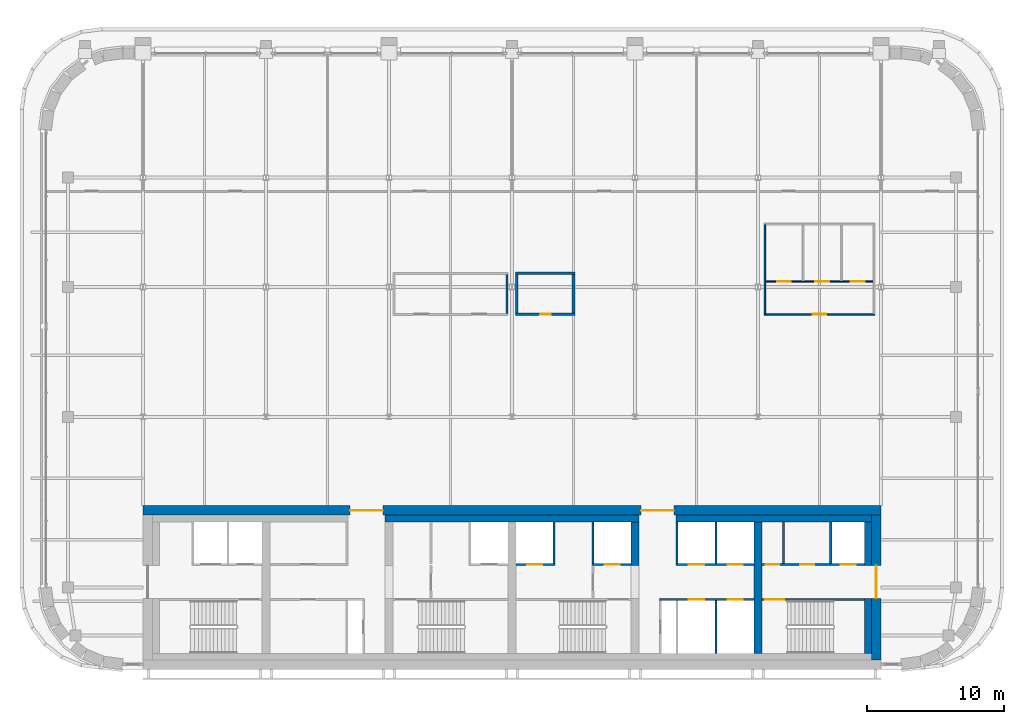
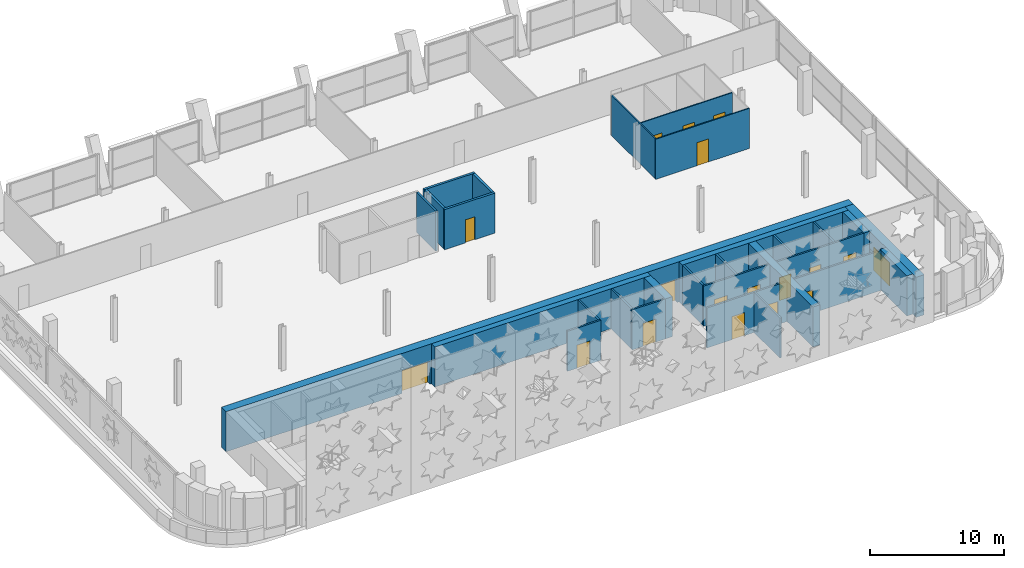
# One storey, part 17 of 25: 29 walls, 18 doors, 18 openings.
"""IFC4 building model written with IfcOpenShell, lengths in metres."""

from ifc_helpers import new_model, si_unit, direction, frame, frame_2d, origin, place, context, subcontext, project, spatial, rectangle, extrude, material, layer, layer_set, type_object, element, fill, save


model = new_model("IFC4")

# Units and contexts
model_context = context("Model", 3, precision=1e-05, world=origin(), true_north=direction((0.0, 1.0)))
body_context = subcontext(model_context, "Body", "Model", "MODEL_VIEW")
ifc_project = project(units=[si_unit("LENGTHUNIT", "METRE"), si_unit("AREAUNIT", "SQUARE_METRE"), si_unit("VOLUMEUNIT", "CUBIC_METRE"), si_unit("PLANEANGLEUNIT", "RADIAN"), si_unit("MASSUNIT", "GRAM", prefix="KILO")], contexts=[model_context])

# Site, building, storey
site_placement = place(None, origin())
site = spatial("IfcSite", under=ifc_project, at=site_placement, CompositionType="ELEMENT")
building_placement = place(site_placement, origin())
building = spatial("IfcBuilding", under=site, at=building_placement, Name="Zellij Exchange Tower", CompositionType="ELEMENT")
storey_placement = place(building_placement, frame((0.0, 0.0, 264.5)))
storey = spatial("IfcBuildingStorey", under=building, at=storey_placement, Name="L62", CompositionType="ELEMENT", Elevation=264.5)

# Walls
ifc_material_1 = material(Name="Concrete C50/60", Category="concrete")
ifc_layer_1 = layer(ifc_material_1, 0.60009765625)
ifc_layer_set_1 = layer_set([ifc_layer_1], Name="Concrete C50/60")
wall_type_1 = type_object("IfcWallType", Name="CORE-CW 600 C50/60", PredefinedType="SHEAR", material=ifc_layer_set_1)
wall_1_placement = place(storey_placement, frame((9.0, -6.375, 0.0), z_axis=(0.0, 0.0, 1.0), x_axis=(0.0, 1.0, 0.0)))
element("IfcWall", 1, at=wall_1_placement, inside=storey, type_object=wall_type_1, Name="Core cross wall pier x 9 b L62", PredefinedType="SHEAR", context=body_context, shape_type="SweptSolid", body=[
    extrude(rectangle(XDim=3.175048828125, YDim=0.60009765625, at=frame_2d((1.58740234375, 0.0))), origin(), (0.0, 0.0, 1.0), 3.64990234375),
])
wall_2_placement = place(storey_placement, frame((18.0, -12.800048828125, 0.0), z_axis=(0.0, 0.0, 1.0), x_axis=(0.0, 1.0, 0.0)))
element("IfcWall", 2, at=wall_2_placement, inside=storey, type_object=wall_type_1, Name="Core cross wall x 18 L62", PredefinedType="SHEAR", context=body_context, shape_type="SweptSolid", body=[
    extrude(rectangle(XDim=9.60009765625, YDim=0.60009765625, at=frame_2d((4.800048828125, 0.0))), origin(), (0.0, 0.0, 1.0), 3.64990234375),
])
ifc_material_2 = material(Name="Concrete C30/37", Category="concrete")
ifc_layer_2 = layer(ifc_material_2, 0.5)
ifc_layer_set_2 = layer_set([ifc_layer_2], Name="Concrete C30/37")
wall_type_2 = type_object("IfcWallType", Name="CORE-LW 500 C30/37", PredefinedType="SHEAR", material=ifc_layer_set_2)
wall_3_placement = place(storey_placement, frame((-9.300048828125, -2.949951171875, 0.0), z_axis=(0.0, 0.0, 1.0), x_axis=(1.0, 0.0, 0.0)))
element("IfcWall", 3, at=wall_3_placement, inside=storey, type_object=wall_type_2, Name="Core wall lining front.1 L62", PredefinedType="SHEAR", context=body_context, shape_type="SweptSolid", body=[
    extrude(rectangle(XDim=18.60009765625, YDim=0.5, at=frame_2d((9.300048828125, 0.0))), origin(), (0.0, 0.0, 1.0), 3.64990234375),
])
wall_4_placement = place(storey_placement, frame((12.0, -2.949951171875, 0.0), z_axis=(0.0, 0.0, 1.0), x_axis=(1.0, 0.0, 0.0)))
element("IfcWall", 4, at=wall_4_placement, inside=storey, type_object=wall_type_2, Name="Core wall lining front.2 L62", PredefinedType="SHEAR", context=body_context, shape_type="SweptSolid", body=[
    extrude(rectangle(XDim=14.300048828125, YDim=0.5, at=frame_2d((7.14990234375, 0.0))), origin(), (0.0, 0.0, 1.0), 3.64990234375),
])
wall_5_placement = place(storey_placement, frame((26.050048828125, -12.800048828125, 0.0), z_axis=(0.0, 0.0, 1.0), x_axis=(0.0, 1.0, 0.0)))
element("IfcWall", 5, at=wall_5_placement, inside=storey, type_object=wall_type_2, Name="Core wall lining end e.0 L62", PredefinedType="SHEAR", context=body_context, shape_type="SweptSolid", body=[
    extrude(rectangle(XDim=4.0, YDim=0.5, at=frame_2d((2.0, 0.0))), origin(), (0.0, 0.0, 1.0), 3.64990234375),
])
wall_6_placement = place(storey_placement, frame((26.050048828125, -6.375, 0.0), z_axis=(0.0, 0.0, 1.0), x_axis=(0.0, 1.0, 0.0)))
element("IfcWall", 6, at=wall_6_placement, inside=storey, type_object=wall_type_2, Name="Core wall lining end e.1 L62", PredefinedType="SHEAR", context=body_context, shape_type="SweptSolid", body=[
    extrude(rectangle(XDim=3.175048828125, YDim=0.5, at=frame_2d((1.58740234375, 0.0))), origin(), (0.0, 0.0, 1.0), 3.64990234375),
])
ifc_material_3 = material(Name="Gypsum board partition")
ifc_layer_3 = layer(ifc_material_3, 0.14990234375)
ifc_layer_set_3 = layer_set([ifc_layer_3], Name="Gypsum board partition")
wall_type_3 = type_object("IfcWallType", Name="CORE-PW 150 Lift lobby wall", PredefinedType="PARTITIONING", material=ifc_layer_set_3)
wall_7_placement = place(storey_placement, frame((19.875, -6.22509765625, 0.0), z_axis=(0.0, 0.0, 1.0), x_axis=(0.0, 1.0, 0.0)))
element("IfcWall", 7, at=wall_7_placement, inside=storey, type_object=wall_type_3, Name="Lift lobby wall L62", PredefinedType="PARTITIONING", context=body_context, shape_type="SweptSolid", body=[
    extrude(rectangle(XDim=3.025146484375, YDim=0.14990234375, at=frame_2d((1.5126953125, 0.0))), origin(), (0.0, 0.0, 1.0), 3.64990234375),
])
ifc_material_4 = material(Name="Gypsum shaft wall system")
ifc_layer_4 = layer(ifc_material_4, 0.14990234375)
ifc_layer_set_4 = layer_set([ifc_layer_4], Name="Gypsum shaft wall system")
wall_type_4 = type_object("IfcWallType", Name="CORE-PW 150 Lift shaft wall", PredefinedType="PARTITIONING", material=ifc_layer_set_4)
for number, where, z_axis, x_axis, name in (
    (8, (3.074951171875, -6.22509765625, 0.0), (0.0, 0.0, 1.0), (0.0, 1.0, 0.0), "Lift shaft wall L62"),
    (9, (5.925048828125, -6.22509765625, 0.0), (0.0, 0.0, 1.0), (0.0, 1.0, 0.0), "Lift shaft wall L62"),
    (10, (12.074951171875, -6.22509765625, 0.0), (0.0, 0.0, 1.0), (0.0, 1.0, 0.0), "Lift shaft wall L62"),
    (11, (14.925048828125, -6.22509765625, 0.0), (0.0, 0.0, 1.0), (0.0, 1.0, 0.0), "Lift shaft wall L62"),
    (12, (23.324951171875, -6.22509765625, 0.0), (0.0, 0.0, 1.0), (0.0, 1.0, 0.0), "Lift shaft wall L62"),
):
    element("IfcWall", number, at=place(storey_placement, frame(where, z_axis=z_axis, x_axis=x_axis)), inside=storey, type_object=wall_type_4, Name=name, PredefinedType="PARTITIONING", context=body_context, shape_type="SweptSolid", body=[
        extrude(rectangle(XDim=3.025146484375, YDim=0.14990234375, at=frame_2d((1.5126953125, 0.0))), origin(), (0.0, 0.0, 1.0), 3.64990234375),
    ])
wall_8_placement = place(storey_placement, frame((14.925048828125, -12.800048828125, 0.0), z_axis=(0.0, 0.0, 1.0), x_axis=(0.0, 1.0, 0.0)))
element("IfcWall", 13, at=wall_8_placement, inside=storey, type_object=wall_type_4, Name="Lift shaft wall L62", PredefinedType="PARTITIONING", context=body_context, shape_type="SweptSolid", body=[
    extrude(rectangle(XDim=3.85009765625, YDim=0.14990234375, at=frame_2d((1.925048828125, 0.0))), origin(), (0.0, 0.0, 1.0), 3.64990234375),
])

# Wall, opening, door
wall_9_placement = place(storey_placement, frame((0.300048828125, -6.300048828125, 0.0), z_axis=(0.0, 0.0, 1.0), x_axis=(1.0, 0.0, 0.0)))
wall_9 = element("IfcWall", 14, at=wall_9_placement, inside=storey, type_object=wall_type_4, Name="Lift shaft wall L62", PredefinedType="PARTITIONING", context=body_context, shape_type="SweptSolid", body=[
    extrude(rectangle(XDim=2.849853515625, YDim=0.14990234375, at=frame_2d((1.4248046875, 0.0))), origin(), (0.0, 0.0, 1.0), 3.64990234375),
])
opening_1_placement = place(wall_9_placement, frame((0.800048828125, 0.0, 0.0)))
opening_1 = element("IfcOpeningElement", 15, at=opening_1_placement, cuts=wall_9, Name="Opening CA-32.12", PredefinedType="OPENING", context=body_context, shape_type="SweptSolid", body=[
    extrude(rectangle(XDim=1.10009765625, YDim=2.10009765625, at=frame_2d((0.550048828125, 1.050048828125))), frame((0.0, 0.0869140625, 0.0), z_axis=(0.0, -1.0, 0.0), x_axis=(1.0, 0.0, 0.0)), (0.0, 0.0, 1.0), 0.173828125),
])
ifc_material_5 = material(Name="Hollow metal fire door")
door_type_1 = type_object("IfcDoorType", Name="CORE-D LD Lift landing door 1100x2100 1.5 HR", OperationType="NOTDEFINED", PredefinedType="DOOR", material=ifc_material_5)
door_1_placement = place(opening_1_placement, origin())
door_1 = element("IfcDoor", 16, at=door_1_placement, inside=storey, type_object=door_type_1, Name="Lift landing door CA-32.12", OperationType="SLIDING_TO_RIGHT", OverallHeight=2.10009765625, OverallWidth=1.10009765625, PredefinedType="DOOR", context=body_context, shape_type="SweptSolid", body=[
    extrude(rectangle(XDim=1.10009765625, YDim=2.10009765625, at=frame_2d((0.550048828125, 1.050048828125))), frame((0.0, 0.02490234375, 0.0), z_axis=(0.0, -1.0, 0.0), x_axis=(1.0, 0.0, 0.0)), (0.0, 0.0, 1.0), 0.050048828125),
])
fill(opening_1, door_1)

wall_10_placement = place(storey_placement, frame((5.85009765625, -6.300048828125, 0.0), z_axis=(0.0, 0.0, 1.0), x_axis=(1.0, 0.0, 0.0)))
wall_10 = element("IfcWall", 17, at=wall_10_placement, inside=storey, type_object=wall_type_4, Name="Lift shaft wall L62", PredefinedType="PARTITIONING", context=body_context, shape_type="SweptSolid", body=[
    extrude(rectangle(XDim=2.849853515625, YDim=0.14990234375, at=frame_2d((1.4248046875, 0.0))), origin(), (0.0, 0.0, 1.0), 3.64990234375),
])
opening_2_placement = place(wall_10_placement, frame((0.949951171875, 0.0, 0.0)))
opening_2 = element("IfcOpeningElement", 18, at=opening_2_placement, cuts=wall_10, Name="Opening CA-32.14", PredefinedType="OPENING", context=body_context, shape_type="SweptSolid", body=[
    extrude(rectangle(XDim=1.10009765625, YDim=2.10009765625, at=frame_2d((0.550048828125, 1.050048828125))), frame((0.0, 0.0869140625, 0.0), z_axis=(0.0, -1.0, 0.0), x_axis=(1.0, 0.0, 0.0)), (0.0, 0.0, 1.0), 0.173828125),
])
door_2_placement = place(opening_2_placement, origin())
door_2 = element("IfcDoor", 19, at=door_2_placement, inside=storey, type_object=door_type_1, Name="Lift landing door CA-32.14", OperationType="SLIDING_TO_RIGHT", OverallHeight=2.10009765625, OverallWidth=1.10009765625, PredefinedType="DOOR", context=body_context, shape_type="SweptSolid", body=[
    extrude(rectangle(XDim=1.10009765625, YDim=2.10009765625, at=frame_2d((0.550048828125, 1.050048828125))), frame((0.0, 0.02490234375, 0.0), z_axis=(0.0, -1.0, 0.0), x_axis=(1.0, 0.0, 0.0)), (0.0, 0.0, 1.0), 0.050048828125),
])
fill(opening_2, door_2)

# Wall, openings, doors
wall_11_placement = place(storey_placement, frame((12.0, -6.300048828125, 0.0), z_axis=(0.0, 0.0, 1.0), x_axis=(1.0, 0.0, 0.0)))
wall_11 = element("IfcWall", 20, at=wall_11_placement, inside=storey, type_object=wall_type_4, Name="Lift shaft wall L62", PredefinedType="PARTITIONING", context=body_context, shape_type="SweptSolid", body=[
    extrude(rectangle(XDim=5.699951171875, YDim=0.14990234375, at=frame_2d((2.85009765625, 0.0))), origin(), (0.0, 0.0, 1.0), 3.64990234375),
])
opening_3_placement = place(wall_11_placement, frame((0.949951171875, 0.0, 0.0)))
opening_3 = element("IfcOpeningElement", 21, at=opening_3_placement, cuts=wall_11, Name="Opening CA-32.19", PredefinedType="OPENING", context=body_context, shape_type="SweptSolid", body=[
    extrude(rectangle(XDim=1.10009765625, YDim=2.10009765625, at=frame_2d((0.550048828125, 1.050048828125))), frame((0.0, 0.0869140625, 0.0), z_axis=(0.0, -1.0, 0.0), x_axis=(1.0, 0.0, 0.0)), (0.0, 0.0, 1.0), 0.173828125),
])
opening_4_placement = place(wall_11_placement, frame((3.800048828125, 0.0, 0.0)))
opening_4 = element("IfcOpeningElement", 22, at=opening_4_placement, cuts=wall_11, Name="Opening CA-32.21", PredefinedType="OPENING", context=body_context, shape_type="SweptSolid", body=[
    extrude(rectangle(XDim=1.10009765625, YDim=2.10009765625, at=frame_2d((0.550048828125, 1.050048828125))), frame((0.0, 0.0869140625, 0.0), z_axis=(0.0, -1.0, 0.0), x_axis=(1.0, 0.0, 0.0)), (0.0, 0.0, 1.0), 0.173828125),
])
door_3_placement = place(opening_3_placement, origin())
door_3 = element("IfcDoor", 23, at=door_3_placement, inside=storey, type_object=door_type_1, Name="Lift landing door CA-32.19", OperationType="SLIDING_TO_LEFT", OverallHeight=2.10009765625, OverallWidth=1.10009765625, PredefinedType="DOOR", context=body_context, shape_type="SweptSolid", body=[
    extrude(rectangle(XDim=1.10009765625, YDim=2.10009765625, at=frame_2d((0.550048828125, 1.050048828125))), frame((0.0, 0.02490234375, 0.0), z_axis=(0.0, -1.0, 0.0), x_axis=(1.0, 0.0, 0.0)), (0.0, 0.0, 1.0), 0.050048828125),
])
fill(opening_3, door_3)
door_4_placement = place(opening_4_placement, origin())
door_4 = element("IfcDoor", 24, at=door_4_placement, inside=storey, type_object=door_type_1, Name="Lift landing door CA-32.21", OperationType="SLIDING_TO_LEFT", OverallHeight=2.10009765625, OverallWidth=1.10009765625, PredefinedType="DOOR", context=body_context, shape_type="SweptSolid", body=[
    extrude(rectangle(XDim=1.10009765625, YDim=2.10009765625, at=frame_2d((0.550048828125, 1.050048828125))), frame((0.0, 0.02490234375, 0.0), z_axis=(0.0, -1.0, 0.0), x_axis=(1.0, 0.0, 0.0)), (0.0, 0.0, 1.0), 0.050048828125),
])
fill(opening_4, door_4)

wall_12_placement = place(storey_placement, frame((18.300048828125, -6.300048828125, 0.0), z_axis=(0.0, 0.0, 1.0), x_axis=(1.0, 0.0, 0.0)))
wall_12 = element("IfcWall", 25, at=wall_12_placement, inside=storey, type_object=wall_type_4, Name="Lift shaft wall L62", PredefinedType="PARTITIONING", context=body_context, shape_type="SweptSolid", body=[
    extrude(rectangle(XDim=7.5, YDim=0.14990234375, at=frame_2d((3.75, 0.0))), origin(), (0.0, 0.0, 1.0), 3.64990234375),
])
opening_5_placement = place(wall_12_placement, frame((0.25, 0.0, 0.0)))
opening_5 = element("IfcOpeningElement", 26, at=opening_5_placement, cuts=wall_12, Name="Opening CA-32.22", PredefinedType="OPENING", context=body_context, shape_type="SweptSolid", body=[
    extrude(rectangle(XDim=1.0, YDim=2.10009765625, at=frame_2d((0.5, 1.050048828125))), frame((0.0, 0.0869140625, 0.0), z_axis=(0.0, -1.0, 0.0), x_axis=(1.0, 0.0, 0.0)), (0.0, 0.0, 1.0), 0.173828125),
])
opening_6_placement = place(wall_12_placement, frame((2.800048828125, 0.0, 0.0)))
opening_6 = element("IfcOpeningElement", 27, at=opening_6_placement, cuts=wall_12, Name="Opening CA-32.24", PredefinedType="OPENING", context=body_context, shape_type="SweptSolid", body=[
    extrude(rectangle(XDim=1.0, YDim=2.10009765625, at=frame_2d((0.5, 1.050048828125))), frame((0.0, 0.0869140625, 0.0), z_axis=(0.0, -1.0, 0.0), x_axis=(1.0, 0.0, 0.0)), (0.0, 0.0, 1.0), 0.173828125),
])
opening_7_placement = place(wall_12_placement, frame((5.75, 0.0, 0.0)))
opening_7 = element("IfcOpeningElement", 28, at=opening_7_placement, cuts=wall_12, Name="Opening CA-32.25", PredefinedType="OPENING", context=body_context, shape_type="SweptSolid", body=[
    extrude(rectangle(XDim=1.10009765625, YDim=2.10009765625, at=frame_2d((0.550048828125, 1.050048828125))), frame((0.0, 0.0869140625, 0.0), z_axis=(0.0, -1.0, 0.0), x_axis=(1.0, 0.0, 0.0)), (0.0, 0.0, 1.0), 0.173828125),
])
door_type_2 = type_object("IfcDoorType", Name="CORE-D CD Core room door 1000x2100 1 HR", OperationType="NOTDEFINED", PredefinedType="DOOR", material=ifc_material_5)
door_5_placement = place(opening_5_placement, origin())
door_5 = element("IfcDoor", 29, at=door_5_placement, inside=storey, type_object=door_type_2, Name="Core room door CA-32.22", OperationType="SINGLE_SWING_LEFT", OverallHeight=2.10009765625, OverallWidth=1.0, PredefinedType="DOOR", context=body_context, shape_type="SweptSolid", body=[
    extrude(rectangle(XDim=1.0, YDim=2.10009765625, at=frame_2d((0.5, 1.050048828125))), frame((0.0, 0.02490234375, 0.0), z_axis=(0.0, -1.0, 0.0), x_axis=(1.0, 0.0, 0.0)), (0.0, 0.0, 1.0), 0.050048828125),
])
fill(opening_5, door_5)
door_6_placement = place(opening_6_placement, origin())
door_6 = element("IfcDoor", 30, at=door_6_placement, inside=storey, type_object=door_type_2, Name="Core room door CA-32.24", OperationType="SINGLE_SWING_LEFT", OverallHeight=2.10009765625, OverallWidth=1.0, PredefinedType="DOOR", context=body_context, shape_type="SweptSolid", body=[
    extrude(rectangle(XDim=1.0, YDim=2.10009765625, at=frame_2d((0.5, 1.050048828125))), frame((0.0, 0.02490234375, 0.0), z_axis=(0.0, -1.0, 0.0), x_axis=(1.0, 0.0, 0.0)), (0.0, 0.0, 1.0), 0.050048828125),
])
fill(opening_6, door_6)
door_7_placement = place(opening_7_placement, origin())
door_7 = element("IfcDoor", 31, at=door_7_placement, inside=storey, type_object=door_type_1, Name="Lift landing door CA-32.25", OperationType="SLIDING_TO_LEFT", OverallHeight=2.10009765625, OverallWidth=1.10009765625, PredefinedType="DOOR", context=body_context, shape_type="SweptSolid", body=[
    extrude(rectangle(XDim=1.10009765625, YDim=2.10009765625, at=frame_2d((0.550048828125, 1.050048828125))), frame((0.0, 0.02490234375, 0.0), z_axis=(0.0, -1.0, 0.0), x_axis=(1.0, 0.0, 0.0)), (0.0, 0.0, 1.0), 0.050048828125),
])
fill(opening_7, door_7)

wall_13_placement = place(storey_placement, frame((10.800048828125, -8.875, 0.0), z_axis=(0.0, 0.0, 1.0), x_axis=(1.0, 0.0, 0.0)))
wall_13 = element("IfcWall", 32, at=wall_13_placement, inside=storey, type_object=wall_type_4, Name="Lift shaft wall L62", PredefinedType="PARTITIONING", context=body_context, shape_type="SweptSolid", body=[
    extrude(rectangle(XDim=6.89990234375, YDim=0.14990234375, at=frame_2d((3.449951171875, 0.0))), origin(), (0.0, 0.0, 1.0), 3.64990234375),
])
opening_8_placement = place(wall_13_placement, frame((2.14990234375, 0.0, 0.0)))
opening_8 = element("IfcOpeningElement", 33, at=opening_8_placement, cuts=wall_13, Name="Opening CA-32.18", PredefinedType="OPENING", context=body_context, shape_type="SweptSolid", body=[
    extrude(rectangle(XDim=1.10009765625, YDim=2.10009765625, at=frame_2d((0.550048828125, 1.050048828125))), frame((0.0, 0.0869140625, 0.0), z_axis=(0.0, -1.0, 0.0), x_axis=(1.0, 0.0, 0.0)), (0.0, 0.0, 1.0), 0.173828125),
])
opening_9_placement = place(wall_13_placement, frame((5.0, 0.0, 0.0)))
opening_9 = element("IfcOpeningElement", 34, at=opening_9_placement, cuts=wall_13, Name="Opening CA-32.20", PredefinedType="OPENING", context=body_context, shape_type="SweptSolid", body=[
    extrude(rectangle(XDim=1.10009765625, YDim=2.10009765625, at=frame_2d((0.550048828125, 1.050048828125))), frame((0.0, 0.0869140625, 0.0), z_axis=(0.0, -1.0, 0.0), x_axis=(1.0, 0.0, 0.0)), (0.0, 0.0, 1.0), 0.173828125),
])
door_8_placement = place(opening_8_placement, origin())
door_8 = element("IfcDoor", 35, at=door_8_placement, inside=storey, type_object=door_type_1, Name="Lift landing door CA-32.18", OperationType="SLIDING_TO_RIGHT", OverallHeight=2.10009765625, OverallWidth=1.10009765625, PredefinedType="DOOR", context=body_context, shape_type="SweptSolid", body=[
    extrude(rectangle(XDim=1.10009765625, YDim=2.10009765625, at=frame_2d((0.550048828125, 1.050048828125))), frame((0.0, 0.02490234375, 0.0), z_axis=(0.0, -1.0, 0.0), x_axis=(1.0, 0.0, 0.0)), (0.0, 0.0, 1.0), 0.050048828125),
])
fill(opening_8, door_8)
door_9_placement = place(opening_9_placement, origin())
door_9 = element("IfcDoor", 36, at=door_9_placement, inside=storey, type_object=door_type_1, Name="Lift landing door CA-32.20", OperationType="SLIDING_TO_RIGHT", OverallHeight=2.10009765625, OverallWidth=1.10009765625, PredefinedType="DOOR", context=body_context, shape_type="SweptSolid", body=[
    extrude(rectangle(XDim=1.10009765625, YDim=2.10009765625, at=frame_2d((0.550048828125, 1.050048828125))), frame((0.0, 0.02490234375, 0.0), z_axis=(0.0, -1.0, 0.0), x_axis=(1.0, 0.0, 0.0)), (0.0, 0.0, 1.0), 0.050048828125),
])
fill(opening_9, door_9)

ifc_layer_5 = layer(ifc_material_1, 0.699951171875)
ifc_layer_set_5 = layer_set([ifc_layer_5], Name="Concrete C50/60")
wall_type_5 = type_object("IfcWallType", Name="CORE-SW 700 C50/60", PredefinedType="SHEAR", material=ifc_layer_set_5)
wall_14_placement = place(storey_placement, frame((-27.0, -2.35009765625, 0.0), z_axis=(0.0, 0.0, 1.0), x_axis=(1.0, 0.0, 0.0)))
wall_14 = element("IfcWall", 37, at=wall_14_placement, inside=storey, type_object=wall_type_5, Name="Core shear wall front L62", PredefinedType="SHEAR", context=body_context, shape_type="SweptSolid", body=[
    extrude(rectangle(XDim=54.0, YDim=0.699951171875, at=frame_2d((27.0, 0.0))), origin(), (0.0, 0.0, 1.0), 3.64990234375),
])
opening_10_placement = place(wall_14_placement, frame((15.14990234375, 0.0, 0.0)))
opening_10 = element("IfcOpeningElement", 38, at=opening_10_placement, cuts=wall_14, Name="Opening CA-32.08", PredefinedType="OPENING", context=body_context, shape_type="SweptSolid", body=[
    extrude(rectangle(XDim=2.39990234375, YDim=2.10009765625, at=frame_2d((1.199951171875, 1.050048828125))), frame((0.0, 0.36181640625, 0.0), z_axis=(0.0, -1.0, 0.0), x_axis=(1.0, 0.0, 0.0)), (0.0, 0.0, 1.0), 0.723876953125),
])
opening_11_placement = place(wall_14_placement, frame((36.449951171875, 0.0, 0.0)))
opening_11 = element("IfcOpeningElement", 39, at=opening_11_placement, cuts=wall_14, Name="Opening CA-32.16", PredefinedType="OPENING", context=body_context, shape_type="SweptSolid", body=[
    extrude(rectangle(XDim=2.39990234375, YDim=2.10009765625, at=frame_2d((1.199951171875, 1.050048828125))), frame((0.0, 0.36181640625, 0.0), z_axis=(0.0, -1.0, 0.0), x_axis=(1.0, 0.0, 0.0)), (0.0, 0.0, 1.0), 0.723876953125),
])
door_type_3 = type_object("IfcDoorType", Name="CORE-D CE Core entrance door 2400x2100 20 MIN", OperationType="NOTDEFINED", PredefinedType="DOOR", material=ifc_material_5)
door_10_placement = place(opening_10_placement, origin())
door_10 = element("IfcDoor", 40, at=door_10_placement, inside=storey, type_object=door_type_3, Name="Core entrance door CA-32.08", OperationType="DOUBLE_DOOR_SINGLE_SWING", OverallHeight=2.10009765625, OverallWidth=2.39990234375, PredefinedType="DOOR", context=body_context, shape_type="SweptSolid", body=[
    extrude(rectangle(XDim=2.39990234375, YDim=2.10009765625, at=frame_2d((1.199951171875, 1.050048828125))), frame((0.0, 0.02490234375, 0.0), z_axis=(0.0, -1.0, 0.0), x_axis=(1.0, 0.0, 0.0)), (0.0, 0.0, 1.0), 0.050048828125),
])
fill(opening_10, door_10)
door_11_placement = place(opening_11_placement, origin())
door_11 = element("IfcDoor", 41, at=door_11_placement, inside=storey, type_object=door_type_3, Name="Core entrance door CA-32.16", OperationType="DOUBLE_DOOR_SINGLE_SWING", OverallHeight=2.10009765625, OverallWidth=2.39990234375, PredefinedType="DOOR", context=body_context, shape_type="SweptSolid", body=[
    extrude(rectangle(XDim=2.39990234375, YDim=2.10009765625, at=frame_2d((1.199951171875, 1.050048828125))), frame((0.0, 0.02490234375, 0.0), z_axis=(0.0, -1.0, 0.0), x_axis=(1.0, 0.0, 0.0)), (0.0, 0.0, 1.0), 0.050048828125),
])
fill(opening_11, door_11)

# Wall, opening, door
wall_15_placement = place(storey_placement, frame((26.64990234375, -13.300048828125, 0.0), z_axis=(0.0, 0.0, 1.0), x_axis=(0.0, 1.0, 0.0)))
wall_15 = element("IfcWall", 42, at=wall_15_placement, inside=storey, type_object=wall_type_5, Name="Core shear wall end e L62", PredefinedType="SHEAR", context=body_context, shape_type="SweptSolid", body=[
    extrude(rectangle(XDim=10.60009765625, YDim=0.699951171875, at=frame_2d((5.300048828125, 0.0))), origin(), (0.0, 0.0, 1.0), 3.64990234375),
])
opening_12_placement = place(wall_15_placement, frame((4.511962890625, 0.0, 0.0)))
opening_12 = element("IfcOpeningElement", 43, at=opening_12_placement, cuts=wall_15, Name="Opening CA-32.26", PredefinedType="OPENING", context=body_context, shape_type="SweptSolid", body=[
    extrude(rectangle(XDim=2.39990234375, YDim=2.10009765625, at=frame_2d((1.199951171875, 1.050048828125))), frame((0.0, 0.36181640625, 0.0), z_axis=(0.0, -1.0, 0.0), x_axis=(1.0, 0.0, 0.0)), (0.0, 0.0, 1.0), 0.723876953125),
])
door_12_placement = place(opening_12_placement, origin())
door_12 = element("IfcDoor", 44, at=door_12_placement, inside=storey, type_object=door_type_3, Name="Core entrance door CA-32.26", OperationType="DOUBLE_DOOR_SINGLE_SWING", OverallHeight=2.10009765625, OverallWidth=2.39990234375, PredefinedType="DOOR", context=body_context, shape_type="SweptSolid", body=[
    extrude(rectangle(XDim=2.39990234375, YDim=2.10009765625, at=frame_2d((1.199951171875, 1.050048828125))), frame((0.0, 0.02490234375, 0.0), z_axis=(0.0, -1.0, 0.0), x_axis=(1.0, 0.0, 0.0)), (0.0, 0.0, 1.0), 0.050048828125),
])
fill(opening_12, door_12)

ifc_layer_6 = layer(ifc_material_1, 0.14990234375)
ifc_layer_set_6 = layer_set([ifc_layer_6], Name="Concrete C50/60")
wall_type_6 = type_object("IfcWallType", Name="CORE-SWS 150 C50/60", PredefinedType="SHEAR", material=ifc_layer_set_6)
wall_16_placement = place(storey_placement, frame((18.300048828125, -8.875, 0.0), z_axis=(0.0, 0.0, 1.0), x_axis=(1.0, 0.0, 0.0)))
wall_16 = element("IfcWall", 45, at=wall_16_placement, inside=storey, type_object=wall_type_6, Name="Stair enclosure wall L62", PredefinedType="SHEAR", context=body_context, shape_type="SweptSolid", body=[
    extrude(rectangle(XDim=7.5, YDim=0.14990234375, at=frame_2d((3.75, 0.0))), origin(), (0.0, 0.0, 1.0), 3.64990234375),
])
opening_13_placement = place(wall_16_placement, frame((0.22509765625, 0.0, 0.0)))
opening_13 = element("IfcOpeningElement", 46, at=opening_13_placement, cuts=wall_16, Name="Opening CA-32.23", PredefinedType="OPENING", context=body_context, shape_type="SweptSolid", body=[
    extrude(rectangle(XDim=1.39990234375, YDim=2.10009765625, at=frame_2d((0.699951171875, 1.050048828125))), frame((0.0, 0.0869140625, 0.0), z_axis=(0.0, -1.0, 0.0), x_axis=(1.0, 0.0, 0.0)), (0.0, 0.0, 1.0), 0.173828125),
])
door_type_4 = type_object("IfcDoorType", Name="CORE-D SD Stair door 1400x2100 1.5 HR", OperationType="NOTDEFINED", PredefinedType="DOOR", material=ifc_material_5)
door_13_placement = place(opening_13_placement, origin())
door_13 = element("IfcDoor", 47, at=door_13_placement, inside=storey, type_object=door_type_4, Name="Stair door CA-32.23", OperationType="DOUBLE_DOOR_SINGLE_SWING", OverallHeight=2.10009765625, OverallWidth=1.39990234375, PredefinedType="DOOR", context=body_context, shape_type="SweptSolid", body=[
    extrude(rectangle(XDim=1.39990234375, YDim=2.10009765625, at=frame_2d((0.699951171875, 1.050048828125))), frame((0.0, 0.02490234375, 0.0), z_axis=(0.0, -1.0, 0.0), x_axis=(1.0, 0.0, 0.0)), (0.0, 0.0, 1.0), 0.050048828125),
])
fill(opening_13, door_13)

ifc_material_6 = material(Name="Blockwork partition", Category="masonry")
ifc_layer_7 = layer(ifc_material_6, 0.199951171875)
ifc_layer_set_7 = layer_set([ifc_layer_7], Name="Blockwork partition")
wall_type_7 = type_object("IfcWallType", Name="FIT-BLOCKWORK-200", PredefinedType="PARTITIONING", material=ifc_layer_set_7)
wall_17_placement = place(storey_placement, frame((0.25, 12.0, 0.0), z_axis=(0.0, 0.0, 1.0), x_axis=(1.0, 0.0, 0.0)))
wall_17 = element("IfcWall", 48, at=wall_17_placement, inside=storey, type_object=wall_type_7, Name="FIT-BLOCKWORK-200 005", PredefinedType="PARTITIONING", context=body_context, shape_type="SweptSolid", body=[
    extrude(rectangle(XDim=4.35009765625, YDim=0.199951171875, at=frame_2d((2.175048828125, 0.0))), origin(), (0.0, 0.0, 1.0), 3.64990234375),
])
opening_14_placement = place(wall_17_placement, frame((1.800048828125, 0.0, 0.0)))
opening_14 = element("IfcOpeningElement", 49, at=opening_14_placement, cuts=wall_17, Name="Opening SL62.03", PredefinedType="OPENING", context=body_context, shape_type="SweptSolid", body=[
    extrude(rectangle(XDim=0.800048828125, YDim=2.10009765625, at=frame_2d((0.39990234375, 1.050048828125))), frame((0.0, 0.11181640625, 0.0), z_axis=(0.0, -1.0, 0.0), x_axis=(1.0, 0.0, 0.0)), (0.0, 0.0, 1.0), 0.223876953125),
])
ifc_material_7 = material(Name="Timber door set", Category="wood")
door_type_5 = type_object("IfcDoorType", Name="FIT-D6-SERVICE-800X2100", OperationType="SINGLE_SWING_LEFT", PredefinedType="DOOR", material=ifc_material_7)
door_14_placement = place(opening_14_placement, origin())
door_14 = element("IfcDoor", 50, at=door_14_placement, inside=storey, type_object=door_type_5, Name="Door SL62.03", OperationType="SINGLE_SWING_LEFT", OverallHeight=2.10009765625, OverallWidth=0.800048828125, PredefinedType="DOOR", context=body_context, shape_type="SweptSolid", body=[
    extrude(rectangle(XDim=0.800048828125, YDim=2.10009765625, at=frame_2d((0.39990234375, 1.050048828125))), frame((0.0, 0.02490234375, 0.0), z_axis=(0.0, -1.0, 0.0), x_axis=(1.0, 0.0, 0.0)), (0.0, 0.0, 1.0), 0.050048828125),
])
fill(opening_14, door_14)

# Walls
for number, where, z_axis, x_axis, name in (
    (51, (0.35009765625, 12.10009765625, 0.0), (0.0, 0.0, 1.0), (0.0, 1.0, 0.0), "FIT-BLOCKWORK-200 006"),
    (52, (4.5, 12.10009765625, 0.0), (0.0, 0.0, 1.0), (0.0, 1.0, 0.0), "FIT-BLOCKWORK-200 007"),
):
    element("IfcWall", number, at=place(storey_placement, frame(where, z_axis=z_axis, x_axis=x_axis)), inside=storey, type_object=wall_type_7, Name=name, PredefinedType="PARTITIONING", context=body_context, shape_type="SweptSolid", body=[
        extrude(rectangle(XDim=2.7998046875, YDim=0.199951171875, at=frame_2d((1.39990234375, 0.0))), origin(), (0.0, 0.0, 1.0), 3.64990234375),
    ])
wall_18_placement = place(storey_placement, frame((0.25, 15.0, 0.0), z_axis=(0.0, 0.0, 1.0), x_axis=(1.0, 0.0, 0.0)))
element("IfcWall", 53, at=wall_18_placement, inside=storey, type_object=wall_type_7, Name="FIT-BLOCKWORK-200 015", PredefinedType="PARTITIONING", context=body_context, shape_type="SweptSolid", body=[
    extrude(rectangle(XDim=4.35009765625, YDim=0.199951171875, at=frame_2d((2.175048828125, 0.0))), origin(), (0.0, 0.0, 1.0), 3.64990234375),
])

# Wall, opening, door
ifc_material_8 = material(Name="Gypsum board partition on steel studs", Category="steel")
ifc_layer_8 = layer(ifc_material_8, 0.10009765625)
ifc_layer_set_8 = layer_set([ifc_layer_8], Name="Gypsum board partition on steel studs")
wall_type_8 = type_object("IfcWallType", Name="FIT-PARTITION-100", PredefinedType="PARTITIONING", material=ifc_layer_set_8)
wall_19_placement = place(storey_placement, frame((18.449951171875, 12.0, 0.0), z_axis=(0.0, 0.0, 1.0), x_axis=(1.0, 0.0, 0.0)))
wall_19 = element("IfcWall", 54, at=wall_19_placement, inside=storey, type_object=wall_type_8, Name="FIT-PARTITION-100 008", PredefinedType="PARTITIONING", context=body_context, shape_type="SweptSolid", body=[
    extrude(rectangle(XDim=8.10009765625, YDim=0.10009765625, at=frame_2d((4.050048828125, 0.0))), origin(), (0.0, 0.0, 1.0), 3.64990234375),
])
opening_15_placement = place(wall_19_placement, frame((3.550048828125, 0.0, 0.0)))
opening_15 = element("IfcOpeningElement", 55, at=opening_15_placement, cuts=wall_19, Name="Opening SL62.04", PredefinedType="OPENING", context=body_context, shape_type="SweptSolid", body=[
    extrude(rectangle(XDim=1.0, YDim=2.10009765625, at=frame_2d((0.5, 1.050048828125))), frame((0.0, 0.06201171875, 0.0), z_axis=(0.0, -1.0, 0.0), x_axis=(1.0, 0.0, 0.0)), (0.0, 0.0, 1.0), 0.1240234375),
])
door_type_6 = type_object("IfcDoorType", Name="FIT-D2-WIDE-1000X2100", OperationType="SINGLE_SWING_LEFT", PredefinedType="DOOR", material=ifc_material_7)
door_15_placement = place(opening_15_placement, origin())
door_15 = element("IfcDoor", 56, at=door_15_placement, inside=storey, type_object=door_type_6, Name="Door SL62.04", OperationType="SINGLE_SWING_RIGHT", OverallHeight=2.10009765625, OverallWidth=1.0, PredefinedType="DOOR", context=body_context, shape_type="SweptSolid", body=[
    extrude(rectangle(XDim=1.0, YDim=2.10009765625, at=frame_2d((0.5, 1.050048828125))), frame((0.0, 0.02490234375, 0.0), z_axis=(0.0, -1.0, 0.0), x_axis=(1.0, 0.0, 0.0)), (0.0, 0.0, 1.0), 0.050048828125),
])
fill(opening_15, door_15)

# Wall
wall_20_placement = place(storey_placement, frame((18.5, 12.050048828125, 0.0), z_axis=(0.0, 0.0, 1.0), x_axis=(0.0, 1.0, 0.0)))
element("IfcWall", 57, at=wall_20_placement, inside=storey, type_object=wall_type_8, Name="FIT-PARTITION-100 009", PredefinedType="PARTITIONING", context=body_context, shape_type="SweptSolid", body=[
    extrude(rectangle(XDim=6.5, YDim=0.10009765625, at=frame_2d((3.25, 0.0))), origin(), (0.0, 0.0, 1.0), 3.64990234375),
])

# Wall, openings, doors
wall_21_placement = place(storey_placement, frame((18.550048828125, 14.39990234375, 0.0), z_axis=(0.0, 0.0, 1.0), x_axis=(1.0, 0.0, 0.0)))
wall_21 = element("IfcWall", 58, at=wall_21_placement, inside=storey, type_object=wall_type_8, Name="FIT-PARTITION-100 011", PredefinedType="PARTITIONING", context=body_context, shape_type="SweptSolid", body=[
    extrude(rectangle(XDim=7.89990234375, YDim=0.10009765625, at=frame_2d((3.949951171875, 0.0))), origin(), (0.0, 0.0, 1.0), 3.64990234375),
])
opening_16_placement = place(wall_21_placement, frame((0.85009765625, 0.0, 0.0)))
opening_16 = element("IfcOpeningElement", 59, at=opening_16_placement, cuts=wall_21, Name="Opening SL62.05", PredefinedType="OPENING", context=body_context, shape_type="SweptSolid", body=[
    extrude(rectangle(XDim=1.0, YDim=2.10009765625, at=frame_2d((0.5, 1.050048828125))), frame((0.0, 0.06201171875, 0.0), z_axis=(0.0, -1.0, 0.0), x_axis=(1.0, 0.0, 0.0)), (0.0, 0.0, 1.0), 0.1240234375),
])
opening_17_placement = place(wall_21_placement, frame((3.64990234375, 0.0, 0.0)))
opening_17 = element("IfcOpeningElement", 60, at=opening_17_placement, cuts=wall_21, Name="Opening SL62.06", PredefinedType="OPENING", context=body_context, shape_type="SweptSolid", body=[
    extrude(rectangle(XDim=1.0, YDim=2.10009765625, at=frame_2d((0.5, 1.050048828125))), frame((0.0, 0.06201171875, 0.0), z_axis=(0.0, -1.0, 0.0), x_axis=(1.0, 0.0, 0.0)), (0.0, 0.0, 1.0), 0.1240234375),
])
opening_18_placement = place(wall_21_placement, frame((6.25, 0.0, 0.0)))
opening_18 = element("IfcOpeningElement", 61, at=opening_18_placement, cuts=wall_21, Name="Opening SL62.07", PredefinedType="OPENING", context=body_context, shape_type="SweptSolid", body=[
    extrude(rectangle(XDim=1.0, YDim=2.10009765625, at=frame_2d((0.5, 1.050048828125))), frame((0.0, 0.06201171875, 0.0), z_axis=(0.0, -1.0, 0.0), x_axis=(1.0, 0.0, 0.0)), (0.0, 0.0, 1.0), 0.1240234375),
])
door_16_placement = place(opening_16_placement, origin())
door_16 = element("IfcDoor", 62, at=door_16_placement, inside=storey, type_object=door_type_6, Name="Door SL62.05", OperationType="SINGLE_SWING_RIGHT", OverallHeight=2.10009765625, OverallWidth=1.0, PredefinedType="DOOR", context=body_context, shape_type="SweptSolid", body=[
    extrude(rectangle(XDim=1.0, YDim=2.10009765625, at=frame_2d((0.5, 1.050048828125))), frame((0.0, 0.02490234375, 0.0), z_axis=(0.0, -1.0, 0.0), x_axis=(1.0, 0.0, 0.0)), (0.0, 0.0, 1.0), 0.050048828125),
])
fill(opening_16, door_16)
door_17_placement = place(opening_17_placement, origin())
door_17 = element("IfcDoor", 63, at=door_17_placement, inside=storey, type_object=door_type_6, Name="Door SL62.06", OperationType="SINGLE_SWING_RIGHT", OverallHeight=2.10009765625, OverallWidth=1.0, PredefinedType="DOOR", context=body_context, shape_type="SweptSolid", body=[
    extrude(rectangle(XDim=1.0, YDim=2.10009765625, at=frame_2d((0.5, 1.050048828125))), frame((0.0, 0.02490234375, 0.0), z_axis=(0.0, -1.0, 0.0), x_axis=(1.0, 0.0, 0.0)), (0.0, 0.0, 1.0), 0.050048828125),
])
fill(opening_17, door_17)
door_18_placement = place(opening_18_placement, origin())
door_18 = element("IfcDoor", 64, at=door_18_placement, inside=storey, type_object=door_type_6, Name="Door SL62.07", OperationType="SINGLE_SWING_RIGHT", OverallHeight=2.10009765625, OverallWidth=1.0, PredefinedType="DOOR", context=body_context, shape_type="SweptSolid", body=[
    extrude(rectangle(XDim=1.0, YDim=2.10009765625, at=frame_2d((0.5, 1.050048828125))), frame((0.0, 0.02490234375, 0.0), z_axis=(0.0, -1.0, 0.0), x_axis=(1.0, 0.0, 0.0)), (0.0, 0.0, 1.0), 0.050048828125),
])
fill(opening_18, door_18)

# Wall
ifc_material_9 = material(Name="Gypsum board shaft-wall partition", Category="gypsum")
ifc_layer_9 = layer(ifc_material_9, 0.14990234375)
ifc_layer_set_9 = layer_set([ifc_layer_9], Name="Gypsum board shaft-wall partition")
wall_type_9 = type_object("IfcWallType", Name="FIT-PARTITION-150-EI60", PredefinedType="PARTITIONING", material=ifc_layer_set_9)
wall_22_placement = place(storey_placement, frame((-0.35009765625, 12.074951171875, 0.0), z_axis=(0.0, 0.0, 1.0), x_axis=(0.0, 1.0, 0.0)))
element("IfcWall", 65, at=wall_22_placement, inside=storey, type_object=wall_type_9, Name="FIT-PARTITION-150-EI60 004", PredefinedType="PARTITIONING", context=body_context, shape_type="SweptSolid", body=[
    extrude(rectangle(XDim=2.85009765625, YDim=0.14990234375, at=frame_2d((1.425048828125, 0.0))), origin(), (0.0, 0.0, 1.0), 3.64990234375),
])

save(model, "model.ifc")
